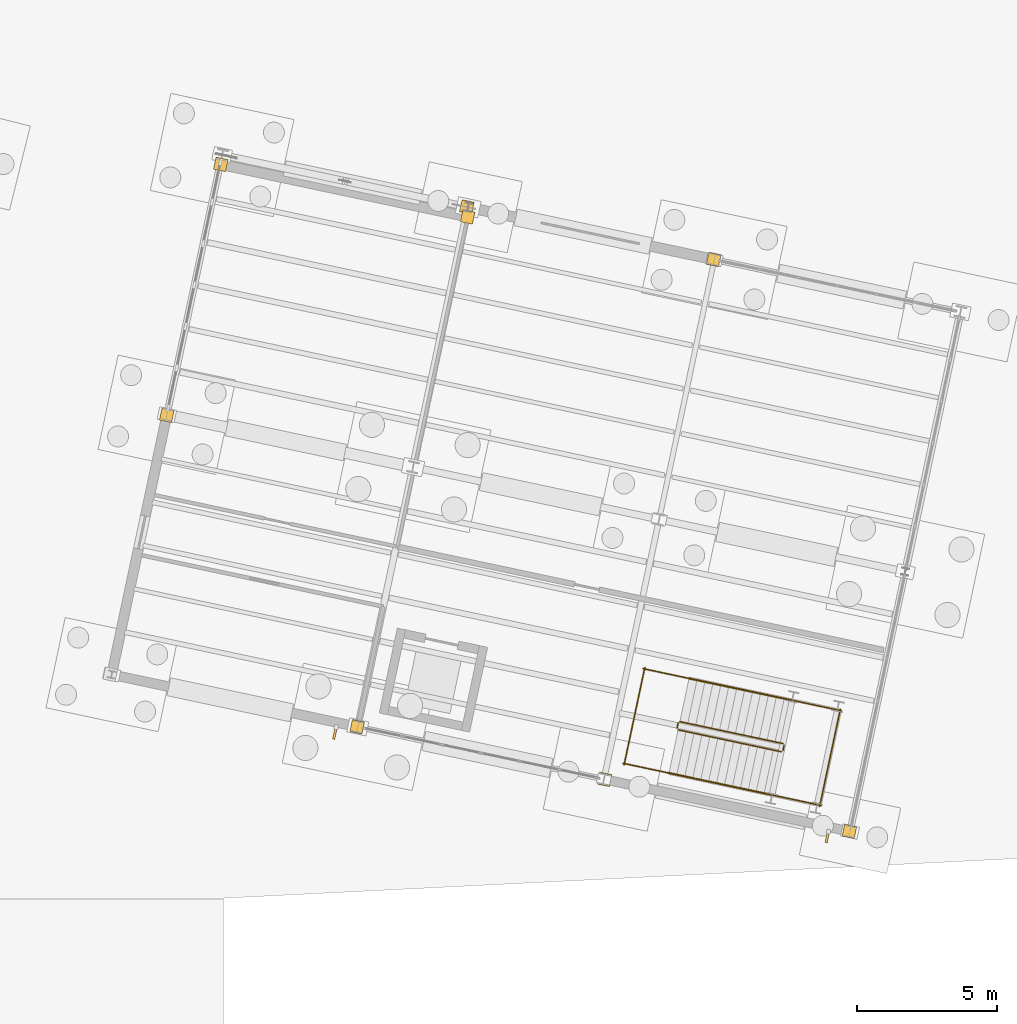
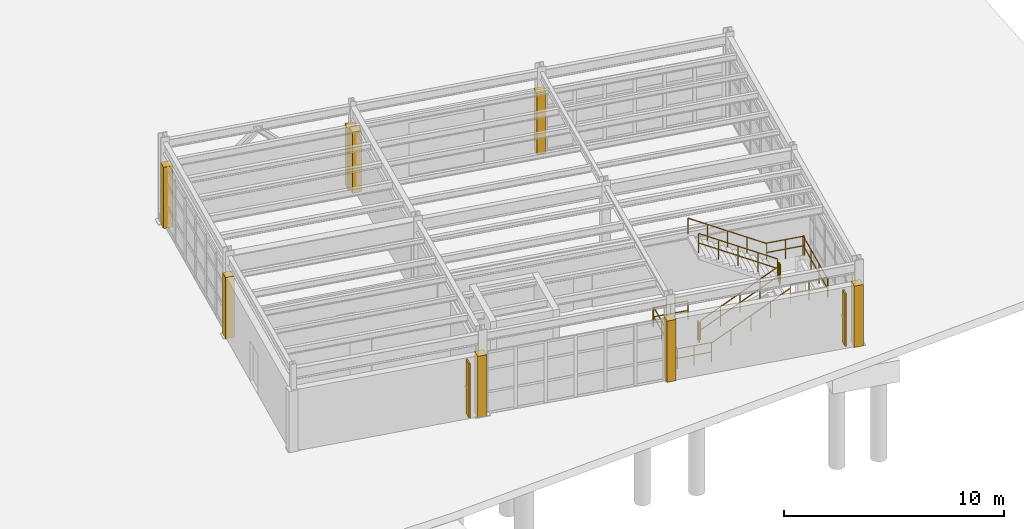
# One storey, part 106 of 108: 12 railings, 8 coverings, 2 shading devices.
"""IFC4 building model written with IfcOpenShell, lengths in metres."""

import ifcopenshell
import ifcopenshell.guid

model = None  # the IFC model being written
_history = None  # IfcOwnerHistory: only IFC2X3 demands one
_inside = {}  # id of a spatial element -> (the spatial element, [elements in it])
_under = {}  # id of a project, library or spatial element -> (it, [spatial elements below it])
_declared = {}  # id of a project -> (the project, [libraries it declares])
_typed = {}  # id of a type object -> (the type object, [elements of that type])
_made_of = {}  # id of a material, layer set ... -> (it, [elements and type objects made of it])


def new_model(schema):
    """Start an empty IFC model of exactly this schema.

    Asked for "IFC4X3", IfcOpenShell would pick the latest addendum, in which some entities
    have other attributes; the version numbers below select the first issue.
    IFC2X3 requires an IfcOwnerHistory on every rooted entity: one is made here for all.
    """
    global model, _history
    if schema == "IFC4X3":
        model = ifcopenshell.file(schema_version=(4, 3, 0, 0))
    else:
        model = ifcopenshell.file(schema=schema)
    _inside.clear()
    _under.clear()
    _declared.clear()
    _typed.clear()
    _made_of.clear()
    _history = None
    if model.schema == "IFC2X3":
        org = make("IfcOrganization", Name="unknown")
        user = make(
            "IfcPersonAndOrganization",
            ThePerson=make("IfcPerson", FamilyName="unknown"),
            TheOrganization=org,
        )
        app = make(
            "IfcApplication",
            ApplicationDeveloper=org,
            Version="unknown",
            ApplicationFullName="unknown",
            ApplicationIdentifier="unknown",
        )
        _history = make(
            "IfcOwnerHistory",
            OwningUser=user,
            OwningApplication=app,
            ChangeAction="ADDED",
            CreationDate=0,
        )
    return model


def make(cls, **values):
    """One entity of the class cls with the attributes given. An attribute that is None is left unset."""
    return model.create_entity(
        cls, **{name: value for name, value in values.items() if value is not None}
    )


def rooted(cls, **values):
    """An entity with a GlobalId (a new one), such as an element, a storey or a relation."""
    return make(cls, GlobalId=ifcopenshell.guid.new(), OwnerHistory=_history, **values)


def si_unit(unit_type, name, prefix=None):
    """IfcSIUnit, for example si_unit("LENGTHUNIT", "METRE", prefix="MILLI")."""
    return make("IfcSIUnit", UnitType=unit_type, Prefix=prefix, Name=name)


def assignment(units):
    """IfcUnitAssignment: the units of a project."""
    return None if units is None else make("IfcUnitAssignment", Units=units)


def point(xyz):
    """IfcCartesianPoint."""
    return None if xyz is None else make("IfcCartesianPoint", Coordinates=xyz)


def direction(xyz):
    """IfcDirection."""
    return None if xyz is None else make("IfcDirection", DirectionRatios=xyz)


def frame(location, z_axis=None, x_axis=None):
    """IfcAxis2Placement3D, a coordinate frame: its origin and axes. An axis left out is left unset."""
    return make(
        "IfcAxis2Placement3D",
        Location=point(location),
        Axis=direction(z_axis),
        RefDirection=direction(x_axis),
    )


def frame_2d(location, x_axis=None):
    """IfcAxis2Placement2D, a coordinate frame in the plane: its origin and x axis."""
    return make(
        "IfcAxis2Placement2D", Location=point(location), RefDirection=direction(x_axis)
    )


def origin():
    """The frame at (0, 0, 0) with its axes left unset."""
    return frame((0.0, 0.0, 0.0))


def origin_2d():
    """The frame at (0, 0) in the plane with its x axis left unset."""
    return frame_2d((0.0, 0.0))


def place(relative_to, where):
    """IfcLocalPlacement: puts the frame where relative to a parent placement (None: the world)."""
    return make(
        "IfcLocalPlacement", PlacementRelTo=relative_to, RelativePlacement=where
    )


def context(
    kind, dimensions, precision=None, world=None, true_north=None, identifier=None
):
    """IfcGeometricRepresentationContext, for example the 3D "Model" context."""
    return make(
        "IfcGeometricRepresentationContext",
        ContextIdentifier=identifier,
        ContextType=kind,
        CoordinateSpaceDimension=dimensions,
        Precision=precision,
        WorldCoordinateSystem=world,
        TrueNorth=true_north,
    )


def subcontext(parent, identifier, kind, view, scale=None):
    """IfcGeometricRepresentationSubContext, for example "Body" below "Model"."""
    return make(
        "IfcGeometricRepresentationSubContext",
        ContextIdentifier=identifier,
        ContextType=kind,
        ParentContext=parent,
        TargetScale=scale,
        TargetView=view,
    )


def project(units=None, contexts=None):
    """IfcProject with its units and contexts."""
    return rooted(
        "IfcProject",
        Name="project",
        RepresentationContexts=contexts,
        UnitsInContext=assignment(units),
    )


def spatial(cls, under=None, at=None, **own):
    """A site, building, storey or space (cls), placed at a placement, below another one or the project."""
    s = rooted(cls, ObjectPlacement=at, **own)
    if under is not None:
        _under.setdefault(under.id(), (under, []))[1].append(s)
    return s


def profile(cls, at=None, kind="AREA", **sizes):
    """A parametric profile (cls). Its sizes go by their IFC names, for example OverallWidth=200.0."""
    return make(cls, ProfileType=kind, Position=at, **sizes)


def rectangle(**sizes):
    """IfcRectangleProfileDef."""
    return profile("IfcRectangleProfileDef", **sizes)


def circle(**sizes):
    """IfcCircleProfileDef."""
    return profile("IfcCircleProfileDef", **sizes)


def extrude(swept, where, along, depth):
    """IfcExtrudedAreaSolid: the profile swept, set in the frame where, extruded along a direction by depth."""
    return make(
        "IfcExtrudedAreaSolid",
        SweptArea=swept,
        Position=where,
        ExtrudedDirection=direction(along),
        Depth=depth,
    )


def shape(context_of_items, identifier, shape_type, items):
    """IfcShapeRepresentation: the items that make up one representation, for example the "Body"."""
    return make(
        "IfcShapeRepresentation",
        ContextOfItems=context_of_items,
        RepresentationIdentifier=identifier,
        RepresentationType=shape_type,
        Items=items,
    )


def material(Name=None, Category=None):
    """IfcMaterial."""
    return make("IfcMaterial", Name=Name, Category=Category)


def layer(
    of_material, thickness, ventilated=None, Name=None, Category=None, Priority=None
):
    """IfcMaterialLayer: one layer of a wall or slab, of a material (None: an air gap)."""
    return make(
        "IfcMaterialLayer",
        Material=of_material,
        LayerThickness=thickness,
        IsVentilated=ventilated,
        Name=Name,
        Category=Category,
        Priority=Priority,
    )


def layer_set(layers, Name=None):
    """IfcMaterialLayerSet."""
    return make("IfcMaterialLayerSet", MaterialLayers=layers, LayerSetName=Name)


def made_of(thing, what):
    """Note that an element or type object is made of a material, layer set ...; save() writes the relation."""
    if what is not None:
        _made_of.setdefault(what.id(), (what, []))[1].append(thing)
    return thing


def type_object(cls, material=None, **own):
    """A type object (cls), such as IfcWallType, which elements share."""
    return made_of(rooted(cls, **own), material)


def element(
    cls,
    number,
    at=None,
    inside=None,
    cuts=None,
    type_object=None,
    material=None,
    context=None,
    identifier="Body",
    shape_type=None,
    held_by="IfcProductDefinitionShape",
    body=None,
    shapes=None,
    **own,
):
    """One element of the class cls, such as IfcWall. Its Tag is "e" and its number.

    at: its placement. inside: the storey or other place that contains it. cuts: it is an
    opening in that element (IfcRelVoidsElement). A single representation is given by context,
    identifier, shape_type and body (its items); several are given by shapes. held_by: the class
    of the entity that holds the representations. save() writes the other relations.
    """
    e = rooted(cls, Tag="e%d" % number, ObjectPlacement=at, **own)
    if body is not None:
        shapes = [shape(context, identifier, shape_type, body)]
    if shapes is not None:
        e.Representation = make(held_by, Representations=shapes)
    if inside is not None:
        _inside.setdefault(inside.id(), (inside, []))[1].append(e)
    if cuts is not None:
        rooted(
            "IfcRelVoidsElement", RelatingBuildingElement=cuts, RelatedOpeningElement=e
        )
    if type_object is not None:
        _typed.setdefault(type_object.id(), (type_object, []))[1].append(e)
    return made_of(e, material)


def aggregate(whole, parts):
    """IfcRelAggregates: a whole, such as a stair, and the parts it consists of."""
    return rooted("IfcRelAggregates", RelatingObject=whole, RelatedObjects=parts)


def save(model, path):
    """Write the relations noted so far, then the file.

    IfcRelAggregates (storeys below a building ...), IfcRelContainedInSpatialStructure (elements
    in a storey), IfcRelDefinesByType, IfcRelAssociatesMaterial and IfcRelDeclares: one each for
    every whole, place, type object, material and project.
    """
    for whole, parts in _under.values():
        aggregate(whole, parts)
    for where, things in _inside.values():
        rooted(
            "IfcRelContainedInSpatialStructure",
            RelatedElements=things,
            RelatingStructure=where,
        )
    for kind, things in _typed.values():
        rooted("IfcRelDefinesByType", RelatedObjects=things, RelatingType=kind)
    for what, things in _made_of.values():
        rooted("IfcRelAssociatesMaterial", RelatedObjects=things, RelatingMaterial=what)
    for by, libraries in _declared.values():
        rooted("IfcRelDeclares", RelatingContext=by, RelatedDefinitions=libraries)
    model.write(path)


model = new_model("IFC4")

# Units and contexts
model_context = context("Model", 3, precision=1e-05, world=origin(), true_north=direction((0.0, 1.0)))
body_context = subcontext(model_context, "Body", "Model", "MODEL_VIEW")
ifc_project = project(units=[si_unit("LENGTHUNIT", "METRE"), si_unit("AREAUNIT", "SQUARE_METRE"), si_unit("VOLUMEUNIT", "CUBIC_METRE"), si_unit("PLANEANGLEUNIT", "RADIAN"), si_unit("MASSUNIT", "GRAM", prefix="KILO")], contexts=[model_context])

# Site, building, storey
site_placement = place(None, origin())
site = spatial("IfcSite", under=ifc_project, at=site_placement, CompositionType="ELEMENT")
building_placement = place(site_placement, origin())
building = spatial("IfcBuilding", under=site, at=building_placement, Name="Vireo Bluff Cable Station", CompositionType="ELEMENT")
storey_placement = place(building_placement, origin())
storey = spatial("IfcBuildingStorey", under=building, at=storey_placement, Name="L00", CompositionType="ELEMENT", Elevation=0.0)

# Coverings
ifc_material_1 = material(Name="Precast concrete f'c 45 MPa", Category="concrete")
ifc_layer = layer(ifc_material_1, 0.0400390625, Name="Precast concrete f'c 45 MPa")
ifc_layer_set = layer_set([ifc_layer], Name="Precast concrete f'c 45 MPa")
covering_type = type_object("IfcCoveringType", Name="COL-CLOSURE-WRAP", PredefinedType="CLADDING", material=ifc_layer_set)
for number, where, z_axis, x_axis, name in (
    (1, (156.387939453125, 4.39111328125, 0.0), (0.0, 0.0, 1.0), (0.978147600734, -0.207911690818, 0.0), "V5E L00 column pocket closure"),
    (2, (147.628662109375, 6.2529296875, 0.0), (0.0, 0.0, 1.0), (0.978147600734, -0.207911690818, 0.0), "V5E L00 column pocket closure"),
    (3, (138.78125, 8.133544921875, 0.0), (0.0, 0.0, 1.0), (0.978147600734, -0.207911690818, 0.0), "V5E L00 column pocket closure"),
    (4, (131.970703125, 19.271484375, 0.0), (0.0, 0.0, 1.0), (0.978147600734, -0.207911690818, 0.0), "V5E L00 column pocket closure"),
    (5, (133.904052734375, 28.2470703125, 0.0), (0.0, 0.0, 1.0), (0.978147600734, -0.207911690818, 0.0), "V5E L00 column pocket closure"),
    (6, (142.73291015625, 26.370361328125, 0.0), (0.0, 0.0, 1.0), (0.978147600734, -0.207911690818, 0.0), "V5E L00 column pocket closure"),
    (7, (142.703857421875, 26.72412109375, 0.0), (0.0, 0.0, 1.0), (0.978147600734, -0.207911690818, 0.0), "V5E L00 column pocket closure"),
    (8, (151.534912109375, 24.84716796875, 0.0), (0.0, 0.0, 1.0), (0.978147600734, -0.207911690818, 0.0), "V5E L00 column pocket closure"),
):
    element("IfcCovering", number, at=place(storey_placement, frame(where, z_axis=z_axis, x_axis=x_axis)), inside=storey, type_object=covering_type, Name=name, PredefinedType="CLADDING", context=body_context, shape_type="SweptSolid", body=[
        extrude(rectangle(XDim=0.43994140625, YDim=0.43994140625, at=origin_2d()), origin(), (0.0, 0.0, 1.0), 3.39990234375),
    ])

# Shading devices
ifc_material_2 = material(Name="Extruded Terracotta Solar Fin", Category="masonry")
shading_device_type_1 = type_object("IfcShadingDeviceType", Name="SOLARFIN-400X2900", PredefinedType="SHUTTER", material=ifc_material_2)
shading_device_1_placement = place(storey_placement, frame((155.59814453125, 4.185791015625, 0.400146484375), z_axis=(0.0, 0.0, 1.0), x_axis=(-0.978147597163, 0.207911707617, 0.0)))
element("IfcShadingDevice", 9, at=shading_device_1_placement, inside=storey, type_object=shading_device_type_1, Name="V5E L00 solar brise-soleil fin 38", PredefinedType="SHUTTER", context=body_context, shape_type="SweptSolid", body=[
    extrude(rectangle(XDim=0.080078125, YDim=0.39990234375, at=origin_2d()), origin(), (0.0, 0.0, 1.0), 2.89990234375),
])
shading_device_type_2 = type_object("IfcShadingDeviceType", Name="SOLARFIN-440X3000", PredefinedType="SHUTTER", material=ifc_material_2)
shading_device_2_placement = place(storey_placement, frame((137.986083984375, 7.90380859375, 0.35009765625), z_axis=(0.0, 0.0, 1.0), x_axis=(-0.978147595632, 0.207911714821, 0.0)))
element("IfcShadingDevice", 10, at=shading_device_2_placement, inside=storey, type_object=shading_device_type_2, Name="V5E L00 solar brise-soleil fin 39", PredefinedType="SHUTTER", context=body_context, shape_type="SweptSolid", body=[
    extrude(rectangle(XDim=0.080078125, YDim=0.43994140625, at=origin_2d()), origin(), (0.0, 0.0, 1.0), 3.0),
])

# Railings
ifc_material_3 = material(Name="Stainless Steel 316", Category="steel")
railing_type_1 = type_object("IfcRailingType", Name="STAIR-GUARD-1100", PredefinedType="GUARDRAIL", material=ifc_material_3)
railing_1_placement = place(storey_placement, frame((150.261962890625, 8.024169921875, 0.17138671875)))
element("IfcRailing", 11, at=railing_1_placement, inside=storey, type_object=railing_type_1, Name="L00 ST-06 stair guard 1", PredefinedType="GUARDRAIL", context=body_context, shape_type="SweptSolid", body=[
    extrude(circle(Radius=0.02392578125, at=origin_2d()), frame((0.0, 0.0, 1.076171875), z_axis=(0.842024617732, -0.179008279101, 0.508871869085), x_axis=(0.207945502317, 0.978140413267, 0.0)), (0.0, 0.0, 1.0), 4.37939453125),
    extrude(circle(Radius=0.02392578125, at=origin_2d()), frame((0.0, 0.0, 0.550048828125), z_axis=(0.842024617732, -0.179008279101, 0.508871869085), x_axis=(0.207945502317, 0.978140413267, 0.0)), (0.0, 0.0, 1.0), 4.37939453125),
    extrude(circle(Radius=0.02099609375, at=origin_2d()), origin(), (0.0, 0.0, 1.0), 1.052001953125),
    extrude(circle(Radius=0.02099609375, at=origin_2d()), frame((0.921875, -0.196044921875, 0.55712890625)), (0.0, 0.0, 1.0), 1.052001953125),
    extrude(circle(Radius=0.02099609375, at=origin_2d()), frame((1.84375, -0.39208984375, 1.1142578125)), (0.0, 0.0, 1.0), 1.052001953125),
    extrude(circle(Radius=0.02099609375, at=origin_2d()), frame((2.765625, -0.587890625, 1.67138671875)), (0.0, 0.0, 1.0), 1.052001953125),
    extrude(circle(Radius=0.02099609375, at=origin_2d()), frame((3.6875, -0.783935546875, 2.228515625)), (0.0, 0.0, 1.0), 1.052001953125),
])
railing_2_placement = place(storey_placement, frame((154.0087890625, 7.27880859375, 2.39990234375)))
element("IfcRailing", 12, at=railing_2_placement, inside=storey, type_object=railing_type_1, Name="L00 ST-06 stair guard 2", PredefinedType="GUARDRAIL", context=body_context, shape_type="SweptSolid", body=[
    extrude(circle(Radius=0.02392578125, at=origin_2d()), frame((0.0, 0.0, 1.076171875), z_axis=(0.208778603291, 0.977962931203, 0.0), x_axis=(-0.977962931203, 0.208778603291, 0.0)), (0.0, 0.0, 1.0), 0.199951171875),
    extrude(circle(Radius=0.02392578125, at=origin_2d()), frame((0.0, 0.0, 0.550048828125), z_axis=(0.208778603291, 0.977962931203, 0.0), x_axis=(-0.977962931203, 0.208778603291, 0.0)), (0.0, 0.0, 1.0), 0.199951171875),
    extrude(circle(Radius=0.02099609375, at=origin_2d()), origin(), (0.0, 0.0, 1.0), 1.052001953125),
    extrude(circle(Radius=0.02099609375, at=origin_2d()), frame((0.041748046875, 0.195556640625, 0.0)), (0.0, 0.0, 1.0), 1.052001953125),
])
railing_3_placement = place(storey_placement, frame((153.62109375, 5.69482421875, 2.39990234375)))
element("IfcRailing", 13, at=railing_3_placement, inside=storey, type_object=railing_type_1, Name="L00 ST-06 stair guard 3", PredefinedType="GUARDRAIL", context=body_context, shape_type="SweptSolid", body=[
    extrude(circle(Radius=0.02392578125, at=origin_2d()), frame((0.0, 0.0, 1.076171875), z_axis=(0.978146440129, -0.207917150959, 0.0), x_axis=(0.207917150959, 0.978146440129, 0.0)), (0.0, 0.0, 1.0), 1.800048828125),
    extrude(circle(Radius=0.02392578125, at=origin_2d()), frame((0.0, 0.0, 0.550048828125), z_axis=(0.978146440129, -0.207917150959, 0.0), x_axis=(0.207917150959, 0.978146440129, 0.0)), (0.0, 0.0, 1.0), 1.800048828125),
    extrude(circle(Radius=0.02099609375, at=origin_2d()), origin(), (0.0, 0.0, 1.0), 1.052001953125),
    extrude(circle(Radius=0.02099609375, at=origin_2d()), frame((0.88037109375, -0.18701171875, 0.0)), (0.0, 0.0, 1.0), 1.052001953125),
    extrude(circle(Radius=0.02099609375, at=origin_2d()), frame((1.7607421875, -0.374267578125, 0.0)), (0.0, 0.0, 1.0), 1.052001953125),
])
railing_4_placement = place(storey_placement, frame((154.340576171875, 9.0791015625, 2.39990234375)))
element("IfcRailing", 14, at=railing_4_placement, inside=storey, type_object=railing_type_1, Name="L00 ST-06 stair guard 4", PredefinedType="GUARDRAIL", context=body_context, shape_type="SweptSolid", body=[
    extrude(circle(Radius=0.02392578125, at=origin_2d()), frame((0.0, 0.0, 1.076171875), z_axis=(0.978168158219, -0.207814951933, 0.0), x_axis=(0.207814951933, 0.978168158219, 0.0)), (0.0, 0.0, 1.0), 1.7998046875),
    extrude(circle(Radius=0.02392578125, at=origin_2d()), frame((0.0, 0.0, 0.550048828125), z_axis=(0.978168158219, -0.207814951933, 0.0), x_axis=(0.207814951933, 0.978168158219, 0.0)), (0.0, 0.0, 1.0), 1.7998046875),
    extrude(circle(Radius=0.02099609375, at=origin_2d()), origin(), (0.0, 0.0, 1.0), 1.052001953125),
    extrude(circle(Radius=0.02099609375, at=origin_2d()), frame((0.88037109375, -0.18701171875, 0.0)), (0.0, 0.0, 1.0), 1.052001953125),
    extrude(circle(Radius=0.02099609375, at=origin_2d()), frame((1.760498046875, -0.3740234375, 0.0)), (0.0, 0.0, 1.0), 1.052001953125),
])
railing_5_placement = place(storey_placement, frame((155.322509765625, 5.281982421875, 2.39990234375)))
element("IfcRailing", 15, at=railing_5_placement, inside=storey, type_object=railing_type_1, Name="L00 ST-06 stair guard 5", PredefinedType="GUARDRAIL", context=body_context, shape_type="SweptSolid", body=[
    extrude(circle(Radius=0.02392578125, at=origin_2d()), frame((0.0, 0.0, 1.076171875), z_axis=(0.20786613773, 0.978157282233, 0.0), x_axis=(-0.978157282233, 0.20786613773, 0.0)), (0.0, 0.0, 1.0), 3.559814453125),
    extrude(circle(Radius=0.02392578125, at=origin_2d()), frame((0.0, 0.0, 0.550048828125), z_axis=(0.20786613773, 0.978157282233, 0.0), x_axis=(-0.978157282233, 0.20786613773, 0.0)), (0.0, 0.0, 1.0), 3.559814453125),
    extrude(circle(Radius=0.02099609375, at=origin_2d()), origin(), (0.0, 0.0, 1.0), 1.052001953125),
    extrude(circle(Radius=0.02099609375, at=origin_2d()), frame((0.24658203125, 1.16064453125, 0.0)), (0.0, 0.0, 1.0), 1.052001953125),
    extrude(circle(Radius=0.02099609375, at=origin_2d()), frame((0.493408203125, 2.321533203125, 0.0)), (0.0, 0.0, 1.0), 1.052001953125),
    extrude(circle(Radius=0.02099609375, at=origin_2d()), frame((0.739990234375, 3.482177734375, 0.0)), (0.0, 0.0, 1.0), 1.052001953125),
])
railing_6_placement = place(storey_placement, frame((154.011962890625, 7.53369140625, 2.571533203125)))
element("IfcRailing", 16, at=railing_6_placement, inside=storey, type_object=railing_type_1, Name="L00 ST-06 stair guard 6", PredefinedType="GUARDRAIL", context=body_context, shape_type="SweptSolid", body=[
    extrude(circle(Radius=0.02392578125, at=origin_2d()), frame((0.0, 0.0, 1.076171875), z_axis=(-0.842040839085, 0.178999876485, 0.508847982732), x_axis=(-0.207932330883, -0.978143213325, 0.0)), (0.0, 0.0, 1.0), 4.379638671875),
    extrude(circle(Radius=0.02392578125, at=origin_2d()), frame((0.0, 0.0, 0.550048828125), z_axis=(-0.842040839085, 0.178999876485, 0.508847982732), x_axis=(-0.207932330883, -0.978143213325, 0.0)), (0.0, 0.0, 1.0), 4.379638671875),
    extrude(circle(Radius=0.02099609375, at=origin_2d()), origin(), (0.0, 0.0, 1.0), 1.052001953125),
    extrude(circle(Radius=0.02099609375, at=origin_2d()), frame((-0.921875, 0.196044921875, 0.55712890625)), (0.0, 0.0, 1.0), 1.052001953125),
    extrude(circle(Radius=0.02099609375, at=origin_2d()), frame((-1.84375, 0.39208984375, 1.1142578125)), (0.0, 0.0, 1.0), 1.052001953125),
    extrude(circle(Radius=0.02099609375, at=origin_2d()), frame((-2.765869140625, 0.587890625, 1.67138671875)), (0.0, 0.0, 1.0), 1.052001953125),
    extrude(circle(Radius=0.02099609375, at=origin_2d()), frame((-3.687744140625, 0.783935546875, 2.228515625)), (0.0, 0.0, 1.0), 1.052001953125),
])
railing_7_placement = place(storey_placement, frame((150.223388671875, 8.08349609375, 0.0)))
element("IfcRailing", 17, at=railing_7_placement, inside=storey, type_object=railing_type_1, Name="L00 ST-06 stair guard 7", PredefinedType="GUARDRAIL", context=body_context, shape_type="SweptSolid", body=[
    extrude(circle(Radius=0.02392578125, at=origin_2d()), frame((0.0, 0.0, 1.076171875), z_axis=(0.208778603291, 0.977962931203, 0.0), x_axis=(-0.977962931203, 0.208778603291, 0.0)), (0.0, 0.0, 1.0), 0.199951171875),
    extrude(circle(Radius=0.02392578125, at=origin_2d()), frame((0.0, 0.0, 0.550048828125), z_axis=(0.208778603291, 0.977962931203, 0.0), x_axis=(-0.977962931203, 0.208778603291, 0.0)), (0.0, 0.0, 1.0), 0.199951171875),
    extrude(circle(Radius=0.02099609375, at=origin_2d()), origin(), (0.0, 0.0, 1.0), 1.052001953125),
    extrude(circle(Radius=0.02099609375, at=origin_2d()), frame((0.041748046875, 0.195556640625, 0.0)), (0.0, 0.0, 1.0), 1.052001953125),
])
railing_8_placement = place(storey_placement, frame((148.290283203125, 6.827880859375, 0.0)))
element("IfcRailing", 18, at=railing_8_placement, inside=storey, type_object=railing_type_1, Name="L00 ST-06 stair guard 8", PredefinedType="GUARDRAIL", context=body_context, shape_type="SweptSolid", body=[
    extrude(circle(Radius=0.02392578125, at=origin_2d()), frame((0.0, 0.0, 1.076171875), z_axis=(0.978162544651, -0.207841372786, 0.0), x_axis=(0.207841372786, 0.978162544651, 0.0)), (0.0, 0.0, 1.0), 1.6796875),
    extrude(circle(Radius=0.02392578125, at=origin_2d()), frame((0.0, 0.0, 0.550048828125), z_axis=(0.978162544651, -0.207841372786, 0.0), x_axis=(0.207841372786, 0.978162544651, 0.0)), (0.0, 0.0, 1.0), 1.6796875),
    extrude(circle(Radius=0.02099609375, at=origin_2d()), origin(), (0.0, 0.0, 1.0), 1.052001953125),
    extrude(circle(Radius=0.02099609375, at=origin_2d()), frame((0.821533203125, -0.174560546875, 0.0)), (0.0, 0.0, 1.0), 1.052001953125),
    extrude(circle(Radius=0.02099609375, at=origin_2d()), frame((1.64306640625, -0.34912109375, 0.0)), (0.0, 0.0, 1.0), 1.052001953125),
])
railing_9_placement = place(storey_placement, frame((149.009521484375, 10.21240234375, 0.0)))
element("IfcRailing", 19, at=railing_9_placement, inside=storey, type_object=railing_type_1, Name="L00 ST-06 stair guard 9", PredefinedType="GUARDRAIL", context=body_context, shape_type="SweptSolid", body=[
    extrude(circle(Radius=0.02392578125, at=origin_2d()), frame((0.0, 0.0, 1.076171875), z_axis=(0.97813927235, -0.207950868925, 0.0), x_axis=(0.207950868925, 0.97813927235, 0.0)), (0.0, 0.0, 1.0), 1.679931640625),
    extrude(circle(Radius=0.02392578125, at=origin_2d()), frame((0.0, 0.0, 0.550048828125), z_axis=(0.97813927235, -0.207950868925, 0.0), x_axis=(0.207950868925, 0.97813927235, 0.0)), (0.0, 0.0, 1.0), 1.679931640625),
    extrude(circle(Radius=0.02099609375, at=origin_2d()), origin(), (0.0, 0.0, 1.0), 1.052001953125),
    extrude(circle(Radius=0.02099609375, at=origin_2d()), frame((0.82177734375, -0.1748046875, 0.0)), (0.0, 0.0, 1.0), 1.052001953125),
    extrude(circle(Radius=0.02099609375, at=origin_2d()), frame((1.643310546875, -0.349365234375, 0.0)), (0.0, 0.0, 1.0), 1.052001953125),
])
railing_10_placement = place(storey_placement, frame((148.32861328125, 6.7685546875, 0.0)))
element("IfcRailing", 20, at=railing_10_placement, inside=storey, type_object=railing_type_1, Name="L00 ST-06 stair guard 10", PredefinedType="GUARDRAIL", context=body_context, shape_type="SweptSolid", body=[
    extrude(circle(Radius=0.02392578125, at=origin_2d()), frame((0.0, 0.0, 1.076171875), z_axis=(0.20793175315, 0.978143336139, 0.0), x_axis=(-0.978143336139, 0.20793175315, 0.0)), (0.0, 0.0, 1.0), 3.56005859375),
    extrude(circle(Radius=0.02392578125, at=origin_2d()), frame((0.0, 0.0, 0.550048828125), z_axis=(0.20793175315, 0.978143336139, 0.0), x_axis=(-0.978143336139, 0.20793175315, 0.0)), (0.0, 0.0, 1.0), 3.56005859375),
    extrude(circle(Radius=0.02099609375, at=origin_2d()), origin(), (0.0, 0.0, 1.0), 1.052001953125),
    extrude(circle(Radius=0.02099609375, at=origin_2d()), frame((0.246826171875, 1.16064453125, 0.0)), (0.0, 0.0, 1.0), 1.052001953125),
    extrude(circle(Radius=0.02099609375, at=origin_2d()), frame((0.493408203125, 2.321533203125, 0.0)), (0.0, 0.0, 1.0), 1.052001953125),
    extrude(circle(Radius=0.02099609375, at=origin_2d()), frame((0.740234375, 3.482177734375, 0.0)), (0.0, 0.0, 1.0), 1.052001953125),
])
railing_type_2 = type_object("IfcRailingType", Name="STAIR-HANDRAIL-900", PredefinedType="HANDRAIL", material=ifc_material_3)
railing_11_placement = place(storey_placement, frame((149.933349609375, 6.478759765625, 0.17138671875)))
element("IfcRailing", 21, at=railing_11_placement, inside=storey, type_object=railing_type_2, Name="L00 ST-06 stair handrail 1", PredefinedType="HANDRAIL", context=body_context, shape_type="SweptSolid", body=[
    extrude(circle(Radius=0.02392578125, at=origin_2d()), frame((0.0, 0.0, 0.8759765625), z_axis=(0.842040839085, -0.178999876485, 0.508847982732), x_axis=(0.207932330883, 0.978143213325, 0.0)), (0.0, 0.0, 1.0), 4.379638671875),
    extrude(circle(Radius=0.02099609375, at=origin_2d()), origin(), (0.0, 0.0, 1.0), 0.851806640625),
    extrude(circle(Radius=0.02099609375, at=origin_2d()), frame((0.921875, -0.196044921875, 0.55712890625)), (0.0, 0.0, 1.0), 0.851806640625),
    extrude(circle(Radius=0.02099609375, at=origin_2d()), frame((1.84375, -0.39208984375, 1.1142578125)), (0.0, 0.0, 1.0), 0.851806640625),
    extrude(circle(Radius=0.02099609375, at=origin_2d()), frame((2.765869140625, -0.587890625, 1.67138671875)), (0.0, 0.0, 1.0), 0.851806640625),
    extrude(circle(Radius=0.02099609375, at=origin_2d()), frame((3.687744140625, -0.783935546875, 2.228515625)), (0.0, 0.0, 1.0), 0.851806640625),
])
railing_12_placement = place(storey_placement, frame((154.340576171875, 9.0791015625, 2.571533203125)))
element("IfcRailing", 22, at=railing_12_placement, inside=storey, type_object=railing_type_2, Name="L00 ST-06 stair handrail 2", PredefinedType="HANDRAIL", context=body_context, shape_type="SweptSolid", body=[
    extrude(circle(Radius=0.02392578125, at=origin_2d()), frame((0.0, 0.0, 0.8759765625), z_axis=(-0.842040839085, 0.178999876485, 0.508847982732), x_axis=(-0.207932330883, -0.978143213325, 0.0)), (0.0, 0.0, 1.0), 4.379638671875),
    extrude(circle(Radius=0.02099609375, at=origin_2d()), origin(), (0.0, 0.0, 1.0), 0.851806640625),
    extrude(circle(Radius=0.02099609375, at=origin_2d()), frame((-0.921875, 0.196044921875, 0.55712890625)), (0.0, 0.0, 1.0), 0.851806640625),
    extrude(circle(Radius=0.02099609375, at=origin_2d()), frame((-1.84375, 0.39208984375, 1.1142578125)), (0.0, 0.0, 1.0), 0.851806640625),
    extrude(circle(Radius=0.02099609375, at=origin_2d()), frame((-2.765869140625, 0.587890625, 1.67138671875)), (0.0, 0.0, 1.0), 0.851806640625),
    extrude(circle(Radius=0.02099609375, at=origin_2d()), frame((-3.687744140625, 0.783935546875, 2.228515625)), (0.0, 0.0, 1.0), 0.851806640625),
])

save(model, "model.ifc")
